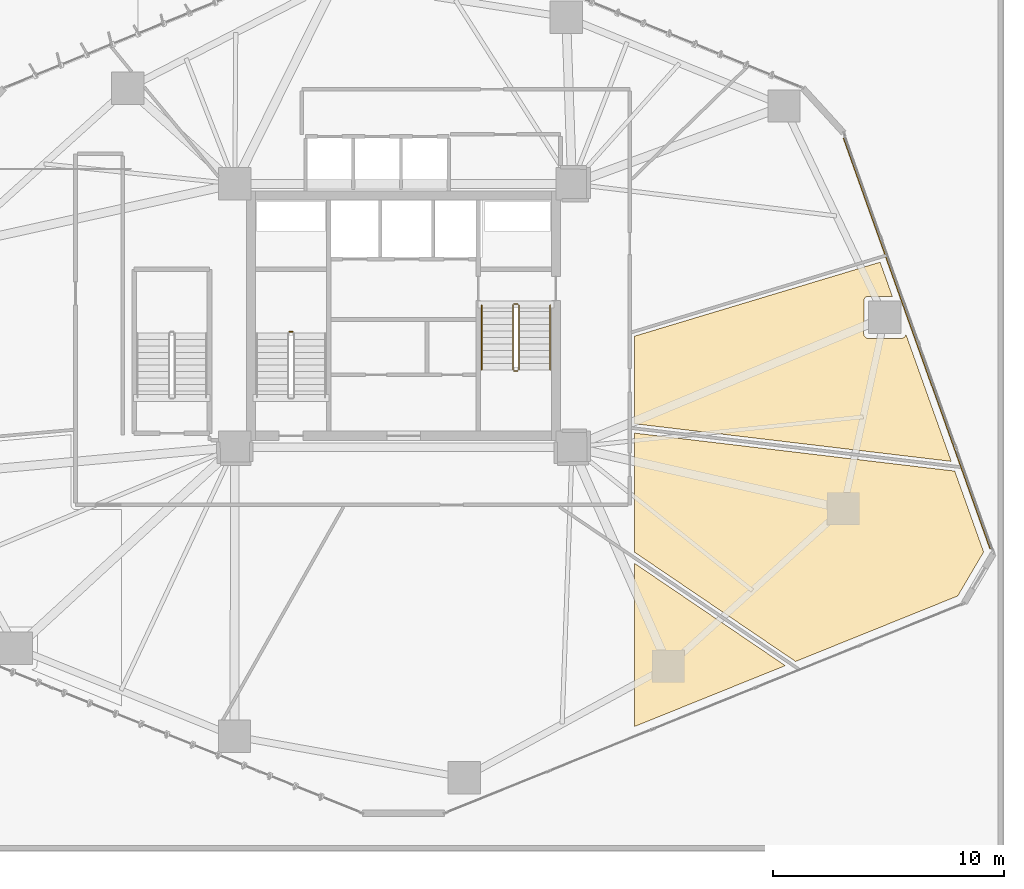
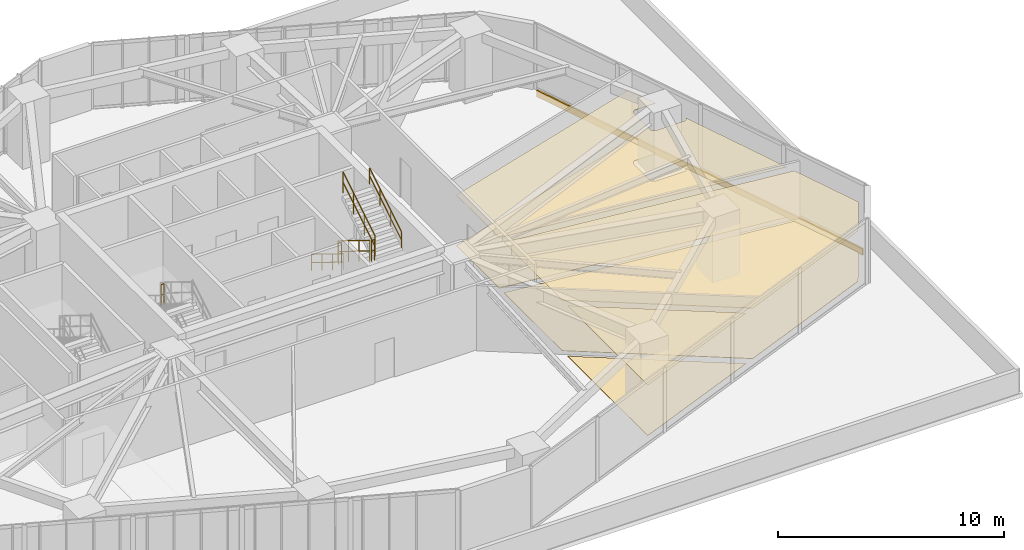
# One storey, part 22 of 23: 7 coverings, 7 railings.
"""IFC4 building model written with IfcOpenShell, lengths in metres."""

from ifc_helpers import new_model, si_unit, direction, frame, origin, origin_2d, place, context, subcontext, project, spatial, polyline, rectangle, circle, outline, extrude, source, transform, mapped, material, layer, layer_set, type_object, type_shapes, element, save


model = new_model("IFC4")

# Units and contexts
model_context = context("Model", 3, precision=1e-05, world=origin(), true_north=direction((0.0, 1.0)))
body_context = subcontext(model_context, "Body", "Model", "MODEL_VIEW")
ifc_project = project(units=[si_unit("LENGTHUNIT", "METRE"), si_unit("AREAUNIT", "SQUARE_METRE"), si_unit("VOLUMEUNIT", "CUBIC_METRE"), si_unit("PLANEANGLEUNIT", "RADIAN"), si_unit("MASSUNIT", "GRAM", prefix="KILO")], contexts=[model_context])

# Site, building, storey
site_placement = place(None, origin())
site = spatial("IfcSite", under=ifc_project, at=site_placement, CompositionType="ELEMENT")
building_placement = place(site_placement, origin())
building = spatial("IfcBuilding", under=site, at=building_placement, Name="Talar Marvaseh", CompositionType="ELEMENT")
storey_placement = place(building_placement, frame((0.0, 0.0, 24.0)))
storey = spatial("IfcBuildingStorey", under=building, at=storey_placement, Name="L05", CompositionType="ELEMENT", Elevation=24.0)

# Railings
ifc_material_1 = material(Name="Stainless Steel Grade 316", Category="steel")
railing_type_1 = type_object("IfcRailingType", Name="Brushed Stainless Wall Pitch Handrail 900", PredefinedType="HANDRAIL", material=ifc_material_1)
railing_1_placement = place(storey_placement, frame((29.389892578125, 31.64990234375, 0.172607421875)))
element("IfcRailing", 1, at=railing_1_placement, inside=storey, type_object=railing_type_1, Name="L05 ST-2 stair handrail 1", PredefinedType="HANDRAIL", context=body_context, shape_type="SweptSolid", body=[
    extrude(circle(Radius=0.02392578125, at=origin_2d()), frame((0.0, 0.0, 0.8759765625), z_axis=(0.0, -0.851069175582, 0.525053576669), x_axis=(1.0, 0.0, 0.0)), (0.0, 0.0, 1.0), 3.289794921875),
    extrude(circle(Radius=0.02392578125, at=origin_2d()), frame((0.0, 0.0, 0.42578125), z_axis=(0.0, -0.851069175582, 0.525053576669), x_axis=(1.0, 0.0, 0.0)), (0.0, 0.0, 1.0), 3.289794921875),
    extrude(circle(Radius=0.02099609375, at=origin_2d()), origin(), (0.0, 0.0, 1.0), 0.851806640625),
    extrude(circle(Radius=0.02099609375, at=origin_2d()), frame((0.0, -0.933349609375, 0.57568359375)), (0.0, 0.0, 1.0), 0.851806640625),
    extrude(circle(Radius=0.02099609375, at=origin_2d()), frame((0.0, -1.866455078125, 1.151611328125)), (0.0, 0.0, 1.0), 0.851806640625),
    extrude(circle(Radius=0.02099609375, at=origin_2d()), frame((0.0, -2.7998046875, 1.727294921875)), (0.0, 0.0, 1.0), 0.851806640625),
])
railing_2_placement = place(storey_placement, frame((32.35009765625, 28.85009765625, 2.07275390625)))
element("IfcRailing", 2, at=railing_2_placement, inside=storey, type_object=railing_type_1, Name="L05 ST-2 stair handrail 2", PredefinedType="HANDRAIL", context=body_context, shape_type="SweptSolid", body=[
    extrude(circle(Radius=0.02392578125, at=origin_2d()), frame((0.0, 0.0, 0.8759765625), z_axis=(0.0, 0.851069175582, 0.525053576669), x_axis=(-1.0, 0.0, 0.0)), (0.0, 0.0, 1.0), 3.289794921875),
    extrude(circle(Radius=0.02392578125, at=origin_2d()), frame((0.0, 0.0, 0.42578125), z_axis=(0.0, 0.851069175582, 0.525053576669), x_axis=(-1.0, 0.0, 0.0)), (0.0, 0.0, 1.0), 3.289794921875),
    extrude(circle(Radius=0.02099609375, at=origin_2d()), origin(), (0.0, 0.0, 1.0), 0.851806640625),
    extrude(circle(Radius=0.02099609375, at=origin_2d()), frame((0.0, 0.933349609375, 0.57568359375)), (0.0, 0.0, 1.0), 0.851806640625),
    extrude(circle(Radius=0.02099609375, at=origin_2d()), frame((0.0, 1.866455078125, 1.151611328125)), (0.0, 0.0, 1.0), 0.851806640625),
    extrude(circle(Radius=0.02099609375, at=origin_2d()), frame((0.0, 2.7998046875, 1.727294921875)), (0.0, 0.0, 1.0), 0.851806640625),
])
railing_type_2 = type_object("IfcRailingType", Name="Painted Steel Core Stair Well Guardrail 1150", PredefinedType="GUARDRAIL", material=ifc_material_1)
railing_3_placement = place(storey_placement, frame((21.2099609375, 30.5, 1.89990234375)))
element("IfcRailing", 3, at=railing_3_placement, inside=storey, type_object=railing_type_2, Name="L05 ST-1 stair guard 2", PredefinedType="GUARDRAIL", context=body_context, shape_type="SweptSolid", body=[
    extrude(circle(Radius=0.02392578125, at=origin_2d()), frame((0.0, 0.0, 1.1259765625), z_axis=(-1.0, 0.0, 0.0), x_axis=(0.0, -1.0, 0.0)), (0.0, 0.0, 1.0), 0.159912109375),
    extrude(circle(Radius=0.02392578125, at=origin_2d()), frame((0.0, 0.0, 0.55078125), z_axis=(-1.0, 0.0, 0.0), x_axis=(0.0, -1.0, 0.0)), (0.0, 0.0, 1.0), 0.159912109375),
    extrude(circle(Radius=0.02099609375, at=origin_2d()), origin(), (0.0, 0.0, 1.0), 1.101806640625),
    extrude(circle(Radius=0.02099609375, at=origin_2d()), frame((-0.159912109375, 0.0, 0.0)), (0.0, 0.0, 1.0), 1.101806640625),
])
railing_4_placement = place(storey_placement, frame((30.739990234375, 31.64990234375, 0.172607421875)))
element("IfcRailing", 4, at=railing_4_placement, inside=storey, type_object=railing_type_2, Name="L05 ST-2 stair guard 1", PredefinedType="GUARDRAIL", context=body_context, shape_type="SweptSolid", body=[
    extrude(circle(Radius=0.02392578125, at=origin_2d()), frame((0.0, 0.0, 1.1259765625), z_axis=(0.0, -0.851069175582, 0.525053576669), x_axis=(1.0, 0.0, 0.0)), (0.0, 0.0, 1.0), 3.289794921875),
    extrude(circle(Radius=0.02392578125, at=origin_2d()), frame((0.0, 0.0, 0.55078125), z_axis=(0.0, -0.851069175582, 0.525053576669), x_axis=(1.0, 0.0, 0.0)), (0.0, 0.0, 1.0), 3.289794921875),
    extrude(circle(Radius=0.02099609375, at=origin_2d()), origin(), (0.0, 0.0, 1.0), 1.101806640625),
    extrude(circle(Radius=0.02099609375, at=origin_2d()), frame((0.0, -0.933349609375, 0.57568359375)), (0.0, 0.0, 1.0), 1.101806640625),
    extrude(circle(Radius=0.02099609375, at=origin_2d()), frame((0.0, -1.866455078125, 1.151611328125)), (0.0, 0.0, 1.0), 1.101806640625),
    extrude(circle(Radius=0.02099609375, at=origin_2d()), frame((0.0, -2.7998046875, 1.727294921875)), (0.0, 0.0, 1.0), 1.101806640625),
])
railing_5_placement = place(storey_placement, frame((30.7900390625, 28.800048828125, 1.89990234375)))
element("IfcRailing", 5, at=railing_5_placement, inside=storey, type_object=railing_type_2, Name="L05 ST-2 stair guard 2", PredefinedType="GUARDRAIL", context=body_context, shape_type="SweptSolid", body=[
    extrude(circle(Radius=0.02392578125, at=origin_2d()), frame((0.0, 0.0, 1.1259765625), z_axis=(1.0, 0.0, 0.0), x_axis=(0.0, 1.0, 0.0)), (0.0, 0.0, 1.0), 0.159912109375),
    extrude(circle(Radius=0.02392578125, at=origin_2d()), frame((0.0, 0.0, 0.55078125), z_axis=(1.0, 0.0, 0.0), x_axis=(0.0, 1.0, 0.0)), (0.0, 0.0, 1.0), 0.159912109375),
    extrude(circle(Radius=0.02099609375, at=origin_2d()), origin(), (0.0, 0.0, 1.0), 1.101806640625),
    extrude(circle(Radius=0.02099609375, at=origin_2d()), frame((0.159912109375, 0.0, 0.0)), (0.0, 0.0, 1.0), 1.101806640625),
])
railing_6_placement = place(storey_placement, frame((31.0, 28.85009765625, 2.07275390625)))
element("IfcRailing", 6, at=railing_6_placement, inside=storey, type_object=railing_type_2, Name="L05 ST-2 stair guard 3", PredefinedType="GUARDRAIL", context=body_context, shape_type="SweptSolid", body=[
    extrude(circle(Radius=0.02392578125, at=origin_2d()), frame((0.0, 0.0, 1.1259765625), z_axis=(0.0, 0.851069175582, 0.525053576669), x_axis=(-1.0, 0.0, 0.0)), (0.0, 0.0, 1.0), 3.289794921875),
    extrude(circle(Radius=0.02392578125, at=origin_2d()), frame((0.0, 0.0, 0.55078125), z_axis=(0.0, 0.851069175582, 0.525053576669), x_axis=(-1.0, 0.0, 0.0)), (0.0, 0.0, 1.0), 3.289794921875),
    extrude(circle(Radius=0.02099609375, at=origin_2d()), origin(), (0.0, 0.0, 1.0), 1.101806640625),
    extrude(circle(Radius=0.02099609375, at=origin_2d()), frame((0.0, 0.933349609375, 0.57568359375)), (0.0, 0.0, 1.0), 1.101806640625),
    extrude(circle(Radius=0.02099609375, at=origin_2d()), frame((0.0, 1.866455078125, 1.151611328125)), (0.0, 0.0, 1.0), 1.101806640625),
    extrude(circle(Radius=0.02099609375, at=origin_2d()), frame((0.0, 2.7998046875, 1.727294921875)), (0.0, 0.0, 1.0), 1.101806640625),
])
railing_7_placement = place(storey_placement, frame((30.7900390625, 31.699951171875, 0.0)))
element("IfcRailing", 7, at=railing_7_placement, inside=storey, type_object=railing_type_2, Name="L05 ST-2 stair guard 4", PredefinedType="GUARDRAIL", context=body_context, shape_type="SweptSolid", body=[
    extrude(circle(Radius=0.02392578125, at=origin_2d()), frame((0.0, 0.0, 1.1259765625), z_axis=(1.0, 0.0, 0.0), x_axis=(0.0, 1.0, 0.0)), (0.0, 0.0, 1.0), 0.159912109375),
    extrude(circle(Radius=0.02392578125, at=origin_2d()), frame((0.0, 0.0, 0.55078125), z_axis=(1.0, 0.0, 0.0), x_axis=(0.0, 1.0, 0.0)), (0.0, 0.0, 1.0), 0.159912109375),
    extrude(circle(Radius=0.02099609375, at=origin_2d()), origin(), (0.0, 0.0, 1.0), 1.101806640625),
    extrude(circle(Radius=0.02099609375, at=origin_2d()), frame((0.159912109375, 0.0, 0.0)), (0.0, 0.0, 1.0), 1.101806640625),
])

# Coverings
ifc_material_2 = material(Name="Mineral Fibre Acoustic Ceiling")
ifc_layer_1 = layer(ifc_material_2, 0.02490234375)
ifc_layer_set_1 = layer_set([ifc_layer_1], Name="Mineral Fibre Acoustic Ceiling")
covering_type_1 = type_object("IfcCoveringType", Name="Perforated Mineral Fibre Acoustic Suspended Ceiling", PredefinedType="CEILING", material=ifc_layer_set_1)
covering_1_placement = place(storey_placement, frame((0.0, 0.0, 2.719970703125)))
element("IfcCovering", 8, at=covering_1_placement, inside=storey, type_object=covering_type_1, Name="L05 Curatorial Office Acoustic Ceiling", PredefinedType="CEILING", context=body_context, shape_type="SweptSolid", body=[
    extrude(outline(polyline([(36.0, 13.405029296875), (36.0, 20.47265625), (42.529296875, 16.0419921875), (36.0, 13.405029296875)])), origin(), (0.0, 0.0, 1.0), 0.025146484375),
])
covering_2_placement = place(storey_placement, frame((0.0, 0.0, 2.719970703125)))
element("IfcCovering", 9, at=covering_2_placement, inside=storey, type_object=covering_type_1, Name="L05 Main Reading Room Acoustic Ceiling", PredefinedType="CEILING", context=body_context, shape_type="SweptSolid", body=[
    extrude(outline(polyline([(36.0, 20.9560546875), (36.0, 23.0), (36.0, 26.111572265625), (49.865478515625, 24.4658203125), (51.116455078125, 20.963134765625), (49.997314453125, 19.05810546875), (42.975830078125, 16.222412109375), (36.0, 20.9560546875)])), origin(), (0.0, 0.0, 1.0), 0.025146484375),
])
covering_3_placement = place(storey_placement, frame((0.0, 0.0, 2.719970703125)))
element("IfcCovering", 10, at=covering_3_placement, inside=storey, type_object=covering_type_1, Name="L05 Archival Research Office Acoustic Ceiling", PredefinedType="CEILING", context=body_context, shape_type="SweptSolid", body=[
    extrude(outline(polyline([(46.0908203125, 32.025634765625), (46.072021484375, 32.02099609375), (46.053466796875, 32.01416015625), (46.035888671875, 32.005859375), (46.01904296875, 31.995849609375), (46.00341796875, 31.984130859375), (45.989013671875, 31.970947265625), (45.975830078125, 31.95654296875), (45.964111328125, 31.94091796875), (45.9541015625, 31.924072265625), (45.94580078125, 31.906494140625), (45.939208984375, 31.887939453125), (45.934326171875, 31.868896484375), (45.931396484375, 31.849609375), (45.930419921875, 31.830078125), (45.926513671875, 30.4150390625), (45.927490234375, 30.396484375), (45.929931640625, 30.377685546875), (45.934326171875, 30.359619140625), (45.940185546875, 30.341796875), (45.947998046875, 30.32470703125), (45.957275390625, 30.30810546875), (45.968017578125, 30.292724609375), (45.97998046875, 30.278564453125), (45.993408203125, 30.265380859375), (46.008056640625, 30.25341796875), (46.0224609375, 30.242919921875), (46.040283203125, 30.231201171875), (46.05908203125, 30.2216796875), (46.078857421875, 30.2138671875), (46.099365234375, 30.20849609375), (46.120361328125, 30.205078125), (46.1416015625, 30.2041015625), (47.551025390625, 30.20751953125), (47.5712890625, 30.20849609375), (47.591552734375, 30.211669921875), (47.611328125, 30.216796875), (47.630615234375, 30.22412109375), (47.648681640625, 30.233154296875), (47.666015625, 30.244140625), (47.68212890625, 30.2568359375), (47.697021484375, 30.27099609375), (47.7099609375, 30.286865234375), (47.721435546875, 30.3037109375), (47.731201171875, 30.32177734375), (47.73681640625, 30.333251953125), (47.74365234375, 30.349609375), (47.7490234375, 30.366455078125), (47.75244140625, 30.382080078125), (49.71533203125, 24.88623046875), (36.0, 26.514404296875), (36.0, 30.304443359375), (46.635498046875, 33.509521484375), (47.162841796875, 32.033203125), (46.129638671875, 32.029541015625), (46.110107421875, 32.028564453125), (46.0908203125, 32.025634765625)])), origin(), (0.0, 0.0, 1.0), 0.025146484375),
])
ifc_material_3 = material(Name="Porcelain Stoneware Tile", Category="masonry")
ifc_layer_2 = layer(ifc_material_3, 0.02001953125)
ifc_layer_set_2 = layer_set([ifc_layer_2], Name="Porcelain Stoneware Tile")
covering_type_2 = type_object("IfcCoveringType", Name="Polished Porcelain Stoneware Gallery Flooring", PredefinedType="FLOORING", material=ifc_layer_set_2)
covering_4_placement = place(storey_placement, origin())
element("IfcCovering", 11, at=covering_4_placement, inside=storey, type_object=covering_type_2, Name="L05 Curatorial Office Flooring", PredefinedType="FLOORING", context=body_context, shape_type="SweptSolid", body=[
    extrude(outline(polyline([(36.0, 13.405029296875), (36.0, 20.47265625), (42.529296875, 16.0419921875), (36.0, 13.405029296875)])), origin(), (0.0, 0.0, 1.0), 0.02001953125),
])
covering_5_placement = place(storey_placement, origin())
element("IfcCovering", 12, at=covering_5_placement, inside=storey, type_object=covering_type_2, Name="L05 Main Reading Room Flooring", PredefinedType="FLOORING", context=body_context, shape_type="SweptSolid", body=[
    extrude(outline(polyline([(36.0, 20.9560546875), (36.0, 23.0), (36.0, 26.111572265625), (49.865478515625, 24.4658203125), (51.116455078125, 20.963134765625), (49.997314453125, 19.05810546875), (42.975830078125, 16.222412109375), (36.0, 20.9560546875)])), origin(), (0.0, 0.0, 1.0), 0.02001953125),
])
covering_6_placement = place(storey_placement, origin())
element("IfcCovering", 13, at=covering_6_placement, inside=storey, type_object=covering_type_2, Name="L05 Archival Research Office Flooring", PredefinedType="FLOORING", context=body_context, shape_type="SweptSolid", body=[
    extrude(outline(polyline([(46.0908203125, 32.025634765625), (46.072021484375, 32.02099609375), (46.053466796875, 32.01416015625), (46.035888671875, 32.005859375), (46.01904296875, 31.995849609375), (46.00341796875, 31.984130859375), (45.989013671875, 31.970947265625), (45.975830078125, 31.95654296875), (45.964111328125, 31.94091796875), (45.9541015625, 31.924072265625), (45.94580078125, 31.906494140625), (45.939208984375, 31.887939453125), (45.934326171875, 31.868896484375), (45.931396484375, 31.849609375), (45.930419921875, 31.830078125), (45.926513671875, 30.4150390625), (45.927490234375, 30.396484375), (45.929931640625, 30.377685546875), (45.934326171875, 30.359619140625), (45.940185546875, 30.341796875), (45.947998046875, 30.32470703125), (45.957275390625, 30.30810546875), (45.968017578125, 30.292724609375), (45.97998046875, 30.278564453125), (45.993408203125, 30.265380859375), (46.008056640625, 30.25341796875), (46.0224609375, 30.242919921875), (46.040283203125, 30.231201171875), (46.05908203125, 30.2216796875), (46.078857421875, 30.2138671875), (46.099365234375, 30.20849609375), (46.120361328125, 30.205078125), (46.1416015625, 30.2041015625), (47.551025390625, 30.20751953125), (47.5712890625, 30.20849609375), (47.591552734375, 30.211669921875), (47.611328125, 30.216796875), (47.630615234375, 30.22412109375), (47.648681640625, 30.233154296875), (47.666015625, 30.244140625), (47.68212890625, 30.2568359375), (47.697021484375, 30.27099609375), (47.7099609375, 30.286865234375), (47.721435546875, 30.3037109375), (47.731201171875, 30.32177734375), (47.73681640625, 30.333251953125), (47.74365234375, 30.349609375), (47.7490234375, 30.366455078125), (47.75244140625, 30.382080078125), (49.71533203125, 24.88623046875), (36.0, 26.514404296875), (36.0, 30.304443359375), (46.635498046875, 33.509521484375), (47.162841796875, 32.033203125), (46.129638671875, 32.029541015625), (46.110107421875, 32.028564453125), (46.0908203125, 32.025634765625)])), origin(), (0.0, 0.0, 1.0), 0.02001953125),
])
ifc_material_4 = material(Name="Precast concrete C45/55", Category="concrete")
ifc_layer_3 = layer(ifc_material_4, 0.080078125)
ifc_layer_set_3 = layer_set([ifc_layer_3], Name="Precast concrete C45/55")
covering_type_3 = type_object("IfcCoveringType", Name="Precast Limestone Spandrel Cladding Band", PredefinedType="CLADDING", material=ifc_layer_set_3)
shared_shape = source(origin(), body_context, "Body", "SweptSolid", [
    extrude(rectangle(XDim=18.865966796875, YDim=0.080078125, at=origin_2d()), origin(), (0.0, 0.0, 1.0), 0.360107421875),
])
type_shapes(covering_type_3, [shared_shape])
covering_7_placement = place(storey_placement, frame((48.25, 30.0, -0.31982421875), z_axis=(0.0, 0.0, 1.0), x_axis=(0.33627354213, -0.941764357397, 0.0)))
element("IfcCovering", 14, at=covering_7_placement, inside=storey, type_object=covering_type_3, Name="L05 Precast Limestone Slab-Edge Spandrel Band", PredefinedType="CLADDING", context=body_context, shape_type="MappedRepresentation", body=[
    mapped(shared_shape, transform((0.0, 0.0, 0.0), x_axis=(1.0, 0.0, 0.0), y_axis=(0.0, 1.0, 0.0), z_axis=(0.0, 0.0, 1.0), scale=1.0)),
])

save(model, "model.ifc")
